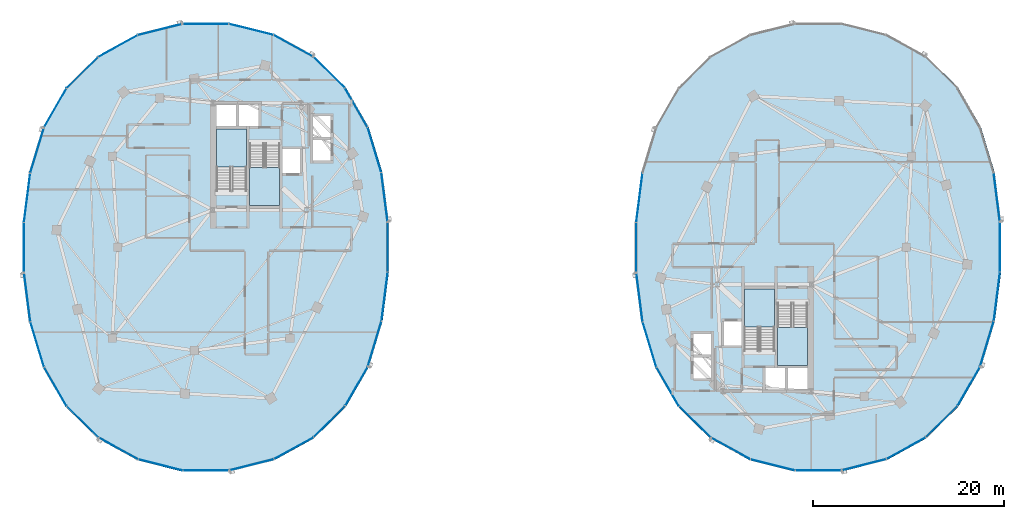
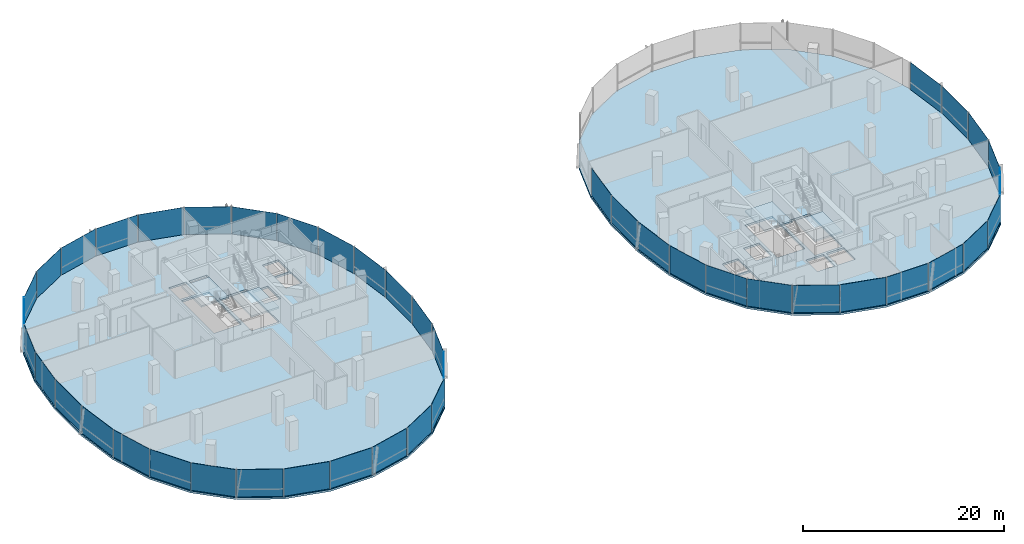
# One storey, part 10 of 22: 45 plates, 6 slabs, 12 elements without a shape of their own.
"""IFC4 building model written with IfcOpenShell, lengths in metres."""

from ifc_helpers import new_model, si_unit, direction, frame, origin, origin_2d, place, context, subcontext, project, spatial, polyline, rectangle, outline, extrude, material, layer, layer_set, type_object, element, aggregate, save


model = new_model("IFC4")

# Units and contexts
model_context = context("Model", 3, precision=1e-05, world=origin(), true_north=direction((0.0, 1.0)))
body_context = subcontext(model_context, "Body", "Model", "MODEL_VIEW")
ifc_project = project(units=[si_unit("LENGTHUNIT", "METRE"), si_unit("AREAUNIT", "SQUARE_METRE"), si_unit("VOLUMEUNIT", "CUBIC_METRE"), si_unit("PLANEANGLEUNIT", "RADIAN"), si_unit("MASSUNIT", "GRAM", prefix="KILO"), si_unit("THERMODYNAMICTEMPERATUREUNIT", "KELVIN"), si_unit("POWERUNIT", "WATT")], contexts=[model_context])

# Site, building, storey
site_placement = place(None, origin())
site = spatial("IfcSite", under=ifc_project, at=site_placement, CompositionType="ELEMENT")
building_placement = place(site_placement, origin())
building = spatial("IfcBuilding", under=site, at=building_placement, Name="Cundina Bronze Exchange", CompositionType="ELEMENT")
storey_placement = place(building_placement, frame((0.0, 0.0, 162.0)))
storey = spatial("IfcBuildingStorey", under=building, at=storey_placement, Name="L42", CompositionType="ELEMENT", Elevation=162.0)

# Curtain wall, plates
ifc_material_1 = material(Name="Anodised Bronze Aluminium 6063-T6", Category="aluminium")
curtain_wall_type = type_object("IfcCurtainWallType", Name="CWS-WST-PIN", PredefinedType="NOTDEFINED", material=ifc_material_1)
curtain_wall_1_placement = place(storey_placement, origin())
curtain_wall_1 = element("IfcCurtainWall", 1, at=curtain_wall_1_placement, inside=storey, type_object=curtain_wall_type, Name="L42 CW-04 Curtain Wall Run CWR-L42-W1", PredefinedType="NOTDEFINED")
ifc_material_2 = material(Name="Heat-Strengthened Solar-Control Bronze Safety Glass 28mm", Category="glass")
ifc_layer_1 = layer(ifc_material_2, 0.028076171875, Name="Heat-Strengthened Solar-Control Bronze Safety Glass 28mm", Category="glass")
ifc_layer_set_1 = layer_set([ifc_layer_1], Name="Heat-Strengthened Solar-Control Bronze Safety Glass 28mm")
plate_type_1 = type_object("IfcPlateType", Name="PLT-GLZ-VIS28", PredefinedType="CURTAIN_PANEL", material=ifc_layer_set_1)
plate_1_placement = place(storey_placement, frame((-13.320556640625, 5.2041015625, 0.02001953125), z_axis=(0.0, 0.0, 1.0), x_axis=(-0.126475984253, 0.9919696696, 0.0)))
plate_1 = element("IfcPlate", 2, at=plate_1_placement, type_object=plate_type_1, Name="CW-04 Glazed Panel 1", PredefinedType="CURTAIN_PANEL", context=body_context, shape_type="SweptSolid", body=[
    extrude(rectangle(XDim=5.104736328125, YDim=0.028076171875, at=origin_2d()), origin(), (0.0, 0.0, 1.0), 3.320068359375),
])
plate_2_placement = place(storey_placement, frame((-14.36669921875, 10.14208984375, 0.02001953125), z_axis=(0.0, 0.0, 1.0), x_axis=(-0.290050843957, 0.957011237092, 0.0)))
plate_2 = element("IfcPlate", 3, at=plate_2_placement, type_object=plate_type_1, Name="CW-04 Glazed Panel 2", PredefinedType="CURTAIN_PANEL", context=body_context, shape_type="SweptSolid", body=[
    extrude(rectangle(XDim=4.885009765625, YDim=0.028076171875, at=origin_2d()), origin(), (0.0, 0.0, 1.0), 3.320068359375),
])
plate_3_placement = place(storey_placement, frame((-19.105224609375, 18.253662109375, 0.02001953125), z_axis=(0.0, 0.0, 1.0), x_axis=(-0.711989280367, 0.702190333629, 0.0)))
plate_3 = element("IfcPlate", 4, at=plate_3_placement, type_object=plate_type_1, Name="CW-04 Glazed Panel 4", PredefinedType="CURTAIN_PANEL", context=body_context, shape_type="SweptSolid", body=[
    extrude(rectangle(XDim=4.6025390625, YDim=0.028076171875, at=origin_2d()), origin(), (0.0, 0.0, 1.0), 3.320068359375),
])
plate_4_placement = place(storey_placement, frame((-22.83154296875, 21.02880859375, 0.02001953125), z_axis=(0.0, 0.0, 1.0), x_axis=(-0.875869093438, 0.482548786301, 0.0)))
plate_4 = element("IfcPlate", 5, at=plate_4_placement, type_object=plate_type_1, Name="CW-04 Glazed Panel 5", PredefinedType="CURTAIN_PANEL", context=body_context, shape_type="SweptSolid", body=[
    extrude(rectangle(XDim=4.661865234375, YDim=0.028076171875, at=origin_2d()), origin(), (0.0, 0.0, 1.0), 3.320068359375),
])
plate_5_placement = place(storey_placement, frame((-27.23486328125, 22.75244140625, 0.02001953125), z_axis=(0.0, 0.0, 1.0), x_axis=(-0.970092713791, 0.242734683656, 0.0)))
plate_5 = element("IfcPlate", 6, at=plate_5_placement, type_object=plate_type_1, Name="CW-04 Glazed Panel 6", PredefinedType="CURTAIN_PANEL", context=body_context, shape_type="SweptSolid", body=[
    extrude(rectangle(XDim=4.7548828125, YDim=0.028076171875, at=origin_2d()), origin(), (0.0, 0.0, 1.0), 3.320068359375),
])
plate_6_placement = place(storey_placement, frame((-32.0, 23.3369140625, 0.02001953125), z_axis=(0.0, 0.0, 1.0), x_axis=(-1.0, 0.0, 0.0)))
plate_6 = element("IfcPlate", 7, at=plate_6_placement, type_object=plate_type_1, Name="CW-04 Glazed Panel 7", PredefinedType="CURTAIN_PANEL", context=body_context, shape_type="SweptSolid", body=[
    extrude(rectangle(XDim=4.7958984375, YDim=0.028076171875, at=origin_2d()), origin(), (0.0, 0.0, 1.0), 3.320068359375),
])

curtain_wall_2_placement = place(storey_placement, origin())
curtain_wall_2 = element("IfcCurtainWall", 8, at=curtain_wall_2_placement, inside=storey, type_object=curtain_wall_type, Name="L42 CW-04 Curtain Wall Run CWR-L42-W2", PredefinedType="NOTDEFINED")
plate_7_placement = place(storey_placement, frame((-36.76513671875, 22.75244140625, 0.02001953125), z_axis=(0.0, 0.0, 1.0), x_axis=(-0.970092713791, -0.242734683656, 0.0)))
plate_7 = element("IfcPlate", 9, at=plate_7_placement, type_object=plate_type_1, Name="CW-04 Glazed Panel 1", PredefinedType="CURTAIN_PANEL", context=body_context, shape_type="SweptSolid", body=[
    extrude(rectangle(XDim=4.7548828125, YDim=0.028076171875, at=origin_2d()), origin(), (0.0, 0.0, 1.0), 3.320068359375),
])
plate_8_placement = place(storey_placement, frame((-44.894775390625, 18.253662109375, 0.02001953125), z_axis=(0.0, 0.0, 1.0), x_axis=(-0.711989280367, -0.702190333629, 0.0)))
plate_8 = element("IfcPlate", 10, at=plate_8_placement, type_object=plate_type_1, Name="CW-04 Glazed Panel 3", PredefinedType="CURTAIN_PANEL", context=body_context, shape_type="SweptSolid", body=[
    extrude(rectangle(XDim=4.6025390625, YDim=0.028076171875, at=origin_2d()), origin(), (0.0, 0.0, 1.0), 3.320068359375),
])
plate_9_placement = place(storey_placement, frame((-47.734375, 14.564697265625, 0.02001953125), z_axis=(0.0, 0.0, 1.0), x_axis=(-0.498487739754, -0.866896748936, 0.0)))
plate_9 = element("IfcPlate", 11, at=plate_9_placement, type_object=plate_type_1, Name="CW-04 Glazed Panel 4", PredefinedType="CURTAIN_PANEL", context=body_context, shape_type="SweptSolid", body=[
    extrude(rectangle(XDim=4.676513671875, YDim=0.028076171875, at=origin_2d()), origin(), (0.0, 0.0, 1.0), 3.320068359375),
])
plate_10_placement = place(storey_placement, frame((-49.63330078125, 10.14208984375, 0.02001953125), z_axis=(0.0, 0.0, 1.0), x_axis=(-0.290050843957, -0.957011237092, 0.0)))
plate_10 = element("IfcPlate", 12, at=plate_10_placement, type_object=plate_type_1, Name="CW-04 Glazed Panel 5", PredefinedType="CURTAIN_PANEL", context=body_context, shape_type="SweptSolid", body=[
    extrude(rectangle(XDim=4.885009765625, YDim=0.028076171875, at=origin_2d()), origin(), (0.0, 0.0, 1.0), 3.320068359375),
])
plate_11_placement = place(storey_placement, frame((-50.679443359375, 5.2041015625, 0.02001953125), z_axis=(0.0, 0.0, 1.0), x_axis=(-0.126475984253, -0.9919696696, 0.0)))
plate_11 = element("IfcPlate", 13, at=plate_11_placement, type_object=plate_type_1, Name="CW-04 Glazed Panel 6", PredefinedType="CURTAIN_PANEL", context=body_context, shape_type="SweptSolid", body=[
    extrude(rectangle(XDim=5.104736328125, YDim=0.028076171875, at=origin_2d()), origin(), (0.0, 0.0, 1.0), 3.320068359375),
])

curtain_wall_3_placement = place(storey_placement, origin())
curtain_wall_3 = element("IfcCurtainWall", 14, at=curtain_wall_3_placement, inside=storey, type_object=curtain_wall_type, Name="L42 CW-04 Curtain Wall Run CWR-L42-W3", PredefinedType="NOTDEFINED")
plate_12_placement = place(storey_placement, frame((-49.63330078125, -10.14208984375, 0.02001953125), z_axis=(0.0, 0.0, 1.0), x_axis=(0.290050843957, -0.957011237092, 0.0)))
plate_12 = element("IfcPlate", 15, at=plate_12_placement, type_object=plate_type_1, Name="CW-04 Glazed Panel 2", PredefinedType="CURTAIN_PANEL", context=body_context, shape_type="SweptSolid", body=[
    extrude(rectangle(XDim=4.885009765625, YDim=0.028076171875, at=origin_2d()), origin(), (0.0, 0.0, 1.0), 3.320068359375),
])
plate_13_placement = place(storey_placement, frame((-47.734375, -14.564697265625, 0.02001953125), z_axis=(0.0, 0.0, 1.0), x_axis=(0.498487739754, -0.866896748936, 0.0)))
plate_13 = element("IfcPlate", 16, at=plate_13_placement, type_object=plate_type_1, Name="CW-04 Glazed Panel 3", PredefinedType="CURTAIN_PANEL", context=body_context, shape_type="SweptSolid", body=[
    extrude(rectangle(XDim=4.676513671875, YDim=0.028076171875, at=origin_2d()), origin(), (0.0, 0.0, 1.0), 3.320068359375),
])
plate_14_placement = place(storey_placement, frame((-44.894775390625, -18.253662109375, 0.02001953125), z_axis=(0.0, 0.0, 1.0), x_axis=(0.711989280367, -0.702190333629, 0.0)))
plate_14 = element("IfcPlate", 17, at=plate_14_placement, type_object=plate_type_1, Name="CW-04 Glazed Panel 4", PredefinedType="CURTAIN_PANEL", context=body_context, shape_type="SweptSolid", body=[
    extrude(rectangle(XDim=4.6025390625, YDim=0.028076171875, at=origin_2d()), origin(), (0.0, 0.0, 1.0), 3.320068359375),
])
plate_15_placement = place(storey_placement, frame((-41.16845703125, -21.02880859375, 0.02001953125), z_axis=(0.0, 0.0, 1.0), x_axis=(0.875869093438, -0.482548786301, 0.0)))
plate_15 = element("IfcPlate", 18, at=plate_15_placement, type_object=plate_type_1, Name="CW-04 Glazed Panel 5", PredefinedType="CURTAIN_PANEL", context=body_context, shape_type="SweptSolid", body=[
    extrude(rectangle(XDim=4.661865234375, YDim=0.028076171875, at=origin_2d()), origin(), (0.0, 0.0, 1.0), 3.320068359375),
])
plate_16_placement = place(storey_placement, frame((-32.0, -23.3369140625, 0.02001953125), z_axis=(0.0, 0.0, 1.0), x_axis=(1.0, 0.0, 0.0)))
plate_16 = element("IfcPlate", 19, at=plate_16_placement, type_object=plate_type_1, Name="CW-04 Glazed Panel 7", PredefinedType="CURTAIN_PANEL", context=body_context, shape_type="SweptSolid", body=[
    extrude(rectangle(XDim=4.7958984375, YDim=0.028076171875, at=origin_2d()), origin(), (0.0, 0.0, 1.0), 3.320068359375),
])

curtain_wall_4_placement = place(storey_placement, origin())
curtain_wall_4 = element("IfcCurtainWall", 20, at=curtain_wall_4_placement, inside=storey, type_object=curtain_wall_type, Name="L42 CW-04 Curtain Wall Run CWR-L42-W4", PredefinedType="NOTDEFINED")
plate_17_placement = place(storey_placement, frame((-27.23486328125, -22.75244140625, 0.02001953125), z_axis=(0.0, 0.0, 1.0), x_axis=(0.970092713791, 0.242734683656, 0.0)))
plate_17 = element("IfcPlate", 21, at=plate_17_placement, type_object=plate_type_1, Name="CW-04 Glazed Panel 1", PredefinedType="CURTAIN_PANEL", context=body_context, shape_type="SweptSolid", body=[
    extrude(rectangle(XDim=4.7548828125, YDim=0.028076171875, at=origin_2d()), origin(), (0.0, 0.0, 1.0), 3.320068359375),
])
plate_18_placement = place(storey_placement, frame((-22.83154296875, -21.02880859375, 0.02001953125), z_axis=(0.0, 0.0, 1.0), x_axis=(0.875869093438, 0.482548786301, 0.0)))
plate_18 = element("IfcPlate", 22, at=plate_18_placement, type_object=plate_type_1, Name="CW-04 Glazed Panel 2", PredefinedType="CURTAIN_PANEL", context=body_context, shape_type="SweptSolid", body=[
    extrude(rectangle(XDim=4.661865234375, YDim=0.028076171875, at=origin_2d()), origin(), (0.0, 0.0, 1.0), 3.320068359375),
])
plate_19_placement = place(storey_placement, frame((-19.105224609375, -18.253662109375, 0.02001953125), z_axis=(0.0, 0.0, 1.0), x_axis=(0.711989280367, 0.702190333629, 0.0)))
plate_19 = element("IfcPlate", 23, at=plate_19_placement, type_object=plate_type_1, Name="CW-04 Glazed Panel 3", PredefinedType="CURTAIN_PANEL", context=body_context, shape_type="SweptSolid", body=[
    extrude(rectangle(XDim=4.6025390625, YDim=0.028076171875, at=origin_2d()), origin(), (0.0, 0.0, 1.0), 3.320068359375),
])
plate_20_placement = place(storey_placement, frame((-16.265625, -14.564697265625, 0.02001953125), z_axis=(0.0, 0.0, 1.0), x_axis=(0.498487739754, 0.866896748936, 0.0)))
plate_20 = element("IfcPlate", 24, at=plate_20_placement, type_object=plate_type_1, Name="CW-04 Glazed Panel 4", PredefinedType="CURTAIN_PANEL", context=body_context, shape_type="SweptSolid", body=[
    extrude(rectangle(XDim=4.676513671875, YDim=0.028076171875, at=origin_2d()), origin(), (0.0, 0.0, 1.0), 3.320068359375),
])
plate_21_placement = place(storey_placement, frame((-13.320556640625, -5.2041015625, 0.02001953125), z_axis=(0.0, 0.0, 1.0), x_axis=(0.126475984253, 0.9919696696, 0.0)))
plate_21 = element("IfcPlate", 25, at=plate_21_placement, type_object=plate_type_1, Name="CW-04 Glazed Panel 6", PredefinedType="CURTAIN_PANEL", context=body_context, shape_type="SweptSolid", body=[
    extrude(rectangle(XDim=5.104736328125, YDim=0.028076171875, at=origin_2d()), origin(), (0.0, 0.0, 1.0), 3.320068359375),
])
plate_22_placement = place(storey_placement, frame((-12.992919921875, 0.0, 0.02001953125), z_axis=(0.0, 0.0, 1.0), x_axis=(0.0, 1.0, 0.0)))
plate_22 = element("IfcPlate", 26, at=plate_22_placement, type_object=plate_type_1, Name="CW-04 Glazed Panel 7", PredefinedType="CURTAIN_PANEL", context=body_context, shape_type="SweptSolid", body=[
    extrude(rectangle(XDim=5.194091796875, YDim=0.028076171875, at=origin_2d()), origin(), (0.0, 0.0, 1.0), 3.320068359375),
])

# Curtain wall, plate
curtain_wall_5_placement = place(storey_placement, origin())
curtain_wall_5 = element("IfcCurtainWall", 27, at=curtain_wall_5_placement, inside=storey, type_object=curtain_wall_type, Name="L42 CW-04 Curtain Wall Run CWR-L42-E1", PredefinedType="NOTDEFINED")
plate_23_placement = place(storey_placement, frame((50.679443359375, 5.2041015625, 0.02001953125), z_axis=(0.0, 0.0, 1.0), x_axis=(-0.126475984253, 0.9919696696, 0.0)))
plate_23 = element("IfcPlate", 28, at=plate_23_placement, type_object=plate_type_1, Name="CW-04 Glazed Panel 1", PredefinedType="CURTAIN_PANEL", context=body_context, shape_type="SweptSolid", body=[
    extrude(rectangle(XDim=5.104736328125, YDim=0.028076171875, at=origin_2d()), origin(), (0.0, 0.0, 1.0), 3.320068359375),
])
aggregate(curtain_wall_5, [plate_23])

curtain_wall_6_placement = place(storey_placement, origin())
curtain_wall_6 = element("IfcCurtainWall", 29, at=curtain_wall_6_placement, inside=storey, type_object=curtain_wall_type, Name="L42 CW-04 Curtain Wall Run CWR-L42-E2", PredefinedType="NOTDEFINED")
plate_24_placement = place(storey_placement, frame((13.320556640625, 5.2041015625, 0.02001953125), z_axis=(0.0, 0.0, 1.0), x_axis=(-0.126475984253, -0.9919696696, 0.0)))
plate_24 = element("IfcPlate", 30, at=plate_24_placement, type_object=plate_type_1, Name="CW-04 Glazed Panel 6", PredefinedType="CURTAIN_PANEL", context=body_context, shape_type="SweptSolid", body=[
    extrude(rectangle(XDim=5.104736328125, YDim=0.028076171875, at=origin_2d()), origin(), (0.0, 0.0, 1.0), 3.320068359375),
])

# Curtain wall, plates
curtain_wall_7_placement = place(storey_placement, origin())
curtain_wall_7 = element("IfcCurtainWall", 31, at=curtain_wall_7_placement, inside=storey, type_object=curtain_wall_type, Name="L42 CW-04 Curtain Wall Run CWR-L42-E3", PredefinedType="NOTDEFINED")
plate_25_placement = place(storey_placement, frame((14.36669921875, -10.14208984375, 0.02001953125), z_axis=(0.0, 0.0, 1.0), x_axis=(0.290050843957, -0.957011237092, 0.0)))
plate_25 = element("IfcPlate", 32, at=plate_25_placement, type_object=plate_type_1, Name="CW-04 Glazed Panel 2", PredefinedType="CURTAIN_PANEL", context=body_context, shape_type="SweptSolid", body=[
    extrude(rectangle(XDim=4.885009765625, YDim=0.028076171875, at=origin_2d()), origin(), (0.0, 0.0, 1.0), 3.320068359375),
])
plate_26_placement = place(storey_placement, frame((16.265625, -14.564697265625, 0.02001953125), z_axis=(0.0, 0.0, 1.0), x_axis=(0.498487739754, -0.866896748936, 0.0)))
plate_26 = element("IfcPlate", 33, at=plate_26_placement, type_object=plate_type_1, Name="CW-04 Glazed Panel 3", PredefinedType="CURTAIN_PANEL", context=body_context, shape_type="SweptSolid", body=[
    extrude(rectangle(XDim=4.676513671875, YDim=0.028076171875, at=origin_2d()), origin(), (0.0, 0.0, 1.0), 3.320068359375),
])
plate_27_placement = place(storey_placement, frame((19.105224609375, -18.253662109375, 0.02001953125), z_axis=(0.0, 0.0, 1.0), x_axis=(0.711989280367, -0.702190333629, 0.0)))
plate_27 = element("IfcPlate", 34, at=plate_27_placement, type_object=plate_type_1, Name="CW-04 Glazed Panel 4", PredefinedType="CURTAIN_PANEL", context=body_context, shape_type="SweptSolid", body=[
    extrude(rectangle(XDim=4.6025390625, YDim=0.028076171875, at=origin_2d()), origin(), (0.0, 0.0, 1.0), 3.320068359375),
])
plate_28_placement = place(storey_placement, frame((22.83154296875, -21.02880859375, 0.02001953125), z_axis=(0.0, 0.0, 1.0), x_axis=(0.875869093438, -0.482548786301, 0.0)))
plate_28 = element("IfcPlate", 35, at=plate_28_placement, type_object=plate_type_1, Name="CW-04 Glazed Panel 5", PredefinedType="CURTAIN_PANEL", context=body_context, shape_type="SweptSolid", body=[
    extrude(rectangle(XDim=4.661865234375, YDim=0.028076171875, at=origin_2d()), origin(), (0.0, 0.0, 1.0), 3.320068359375),
])
plate_29_placement = place(storey_placement, frame((32.0, -23.3369140625, 0.02001953125), z_axis=(0.0, 0.0, 1.0), x_axis=(1.0, 0.0, 0.0)))
plate_29 = element("IfcPlate", 36, at=plate_29_placement, type_object=plate_type_1, Name="CW-04 Glazed Panel 7", PredefinedType="CURTAIN_PANEL", context=body_context, shape_type="SweptSolid", body=[
    extrude(rectangle(XDim=4.7958984375, YDim=0.028076171875, at=origin_2d()), origin(), (0.0, 0.0, 1.0), 3.320068359375),
])

curtain_wall_8_placement = place(storey_placement, origin())
curtain_wall_8 = element("IfcCurtainWall", 37, at=curtain_wall_8_placement, inside=storey, type_object=curtain_wall_type, Name="L42 CW-04 Curtain Wall Run CWR-L42-E4", PredefinedType="NOTDEFINED")
plate_30_placement = place(storey_placement, frame((36.76513671875, -22.75244140625, 0.02001953125), z_axis=(0.0, 0.0, 1.0), x_axis=(0.970092713791, 0.242734683656, 0.0)))
plate_30 = element("IfcPlate", 38, at=plate_30_placement, type_object=plate_type_1, Name="CW-04 Glazed Panel 1", PredefinedType="CURTAIN_PANEL", context=body_context, shape_type="SweptSolid", body=[
    extrude(rectangle(XDim=4.7548828125, YDim=0.028076171875, at=origin_2d()), origin(), (0.0, 0.0, 1.0), 3.320068359375),
])
plate_31_placement = place(storey_placement, frame((41.16845703125, -21.02880859375, 0.02001953125), z_axis=(0.0, 0.0, 1.0), x_axis=(0.875869093438, 0.482548786301, 0.0)))
plate_31 = element("IfcPlate", 39, at=plate_31_placement, type_object=plate_type_1, Name="CW-04 Glazed Panel 2", PredefinedType="CURTAIN_PANEL", context=body_context, shape_type="SweptSolid", body=[
    extrude(rectangle(XDim=4.661865234375, YDim=0.028076171875, at=origin_2d()), origin(), (0.0, 0.0, 1.0), 3.320068359375),
])
plate_32_placement = place(storey_placement, frame((44.894775390625, -18.253662109375, 0.02001953125), z_axis=(0.0, 0.0, 1.0), x_axis=(0.711989280367, 0.702190333629, 0.0)))
plate_32 = element("IfcPlate", 40, at=plate_32_placement, type_object=plate_type_1, Name="CW-04 Glazed Panel 3", PredefinedType="CURTAIN_PANEL", context=body_context, shape_type="SweptSolid", body=[
    extrude(rectangle(XDim=4.6025390625, YDim=0.028076171875, at=origin_2d()), origin(), (0.0, 0.0, 1.0), 3.320068359375),
])
plate_33_placement = place(storey_placement, frame((47.734375, -14.564697265625, 0.02001953125), z_axis=(0.0, 0.0, 1.0), x_axis=(0.498487739754, 0.866896748936, 0.0)))
plate_33 = element("IfcPlate", 41, at=plate_33_placement, type_object=plate_type_1, Name="CW-04 Glazed Panel 4", PredefinedType="CURTAIN_PANEL", context=body_context, shape_type="SweptSolid", body=[
    extrude(rectangle(XDim=4.676513671875, YDim=0.028076171875, at=origin_2d()), origin(), (0.0, 0.0, 1.0), 3.320068359375),
])
plate_34_placement = place(storey_placement, frame((50.679443359375, -5.2041015625, 0.02001953125), z_axis=(0.0, 0.0, 1.0), x_axis=(0.126475984253, 0.9919696696, 0.0)))
plate_34 = element("IfcPlate", 42, at=plate_34_placement, type_object=plate_type_1, Name="CW-04 Glazed Panel 6", PredefinedType="CURTAIN_PANEL", context=body_context, shape_type="SweptSolid", body=[
    extrude(rectangle(XDim=5.104736328125, YDim=0.028076171875, at=origin_2d()), origin(), (0.0, 0.0, 1.0), 3.320068359375),
])
plate_35_placement = place(storey_placement, frame((51.007080078125, 0.0, 0.02001953125), z_axis=(0.0, 0.0, 1.0), x_axis=(0.0, 1.0, 0.0)))
plate_35 = element("IfcPlate", 43, at=plate_35_placement, type_object=plate_type_1, Name="CW-04 Glazed Panel 7", PredefinedType="CURTAIN_PANEL", context=body_context, shape_type="SweptSolid", body=[
    extrude(rectangle(XDim=5.194091796875, YDim=0.028076171875, at=origin_2d()), origin(), (0.0, 0.0, 1.0), 3.320068359375),
])

# Plate
ifc_material_3 = material(Name="Dark Bronze Spandrel Glass Panel 32mm", Category="glass")
ifc_layer_2 = layer(ifc_material_3, 0.031982421875, Name="Dark Bronze Spandrel Glass Panel 32mm", Category="glass")
ifc_layer_set_2 = layer_set([ifc_layer_2], Name="Dark Bronze Spandrel Glass Panel 32mm")
plate_type_2 = type_object("IfcPlateType", Name="PLT-SPN-BRZ32", PredefinedType="CURTAIN_PANEL", material=ifc_layer_set_2)
plate_36_placement = place(storey_placement, frame((-16.265625, 14.564697265625, 0.02001953125), z_axis=(0.0, 0.0, 1.0), x_axis=(-0.498487739754, 0.866896748936, 0.0)))
plate_36 = element("IfcPlate", 44, at=plate_36_placement, type_object=plate_type_2, Name="CW-04 Glazed Panel 3", PredefinedType="CURTAIN_PANEL", context=body_context, shape_type="SweptSolid", body=[
    extrude(rectangle(XDim=4.676513671875, YDim=0.031982421875, at=origin_2d()), origin(), (0.0, 0.0, 1.0), 3.320068359375),
])

aggregate(curtain_wall_1, [plate_1, plate_2, plate_36, plate_3, plate_4, plate_5, plate_6])

plate_37_placement = place(storey_placement, frame((-41.16845703125, 21.02880859375, 0.02001953125), z_axis=(0.0, 0.0, 1.0), x_axis=(-0.875869093438, -0.482548786301, 0.0)))
plate_37 = element("IfcPlate", 45, at=plate_37_placement, type_object=plate_type_2, Name="CW-04 Glazed Panel 2", PredefinedType="CURTAIN_PANEL", context=body_context, shape_type="SweptSolid", body=[
    extrude(rectangle(XDim=4.661865234375, YDim=0.031982421875, at=origin_2d()), origin(), (0.0, 0.0, 1.0), 3.320068359375),
])

plate_38_placement = place(storey_placement, frame((-51.007080078125, 0.0, 0.02001953125), z_axis=(0.0, 0.0, 1.0), x_axis=(0.0, -1.0, 0.0)))
plate_38 = element("IfcPlate", 46, at=plate_38_placement, type_object=plate_type_2, Name="CW-04 Glazed Panel 7", PredefinedType="CURTAIN_PANEL", context=body_context, shape_type="SweptSolid", body=[
    extrude(rectangle(XDim=5.194091796875, YDim=0.031982421875, at=origin_2d()), origin(), (0.0, 0.0, 1.0), 3.320068359375),
])

aggregate(curtain_wall_2, [plate_7, plate_37, plate_8, plate_9, plate_10, plate_11, plate_38])

plate_39_placement = place(storey_placement, frame((-50.679443359375, -5.2041015625, 0.02001953125), z_axis=(0.0, 0.0, 1.0), x_axis=(0.126475984253, -0.9919696696, 0.0)))
plate_39 = element("IfcPlate", 47, at=plate_39_placement, type_object=plate_type_2, Name="CW-04 Glazed Panel 1", PredefinedType="CURTAIN_PANEL", context=body_context, shape_type="SweptSolid", body=[
    extrude(rectangle(XDim=5.104736328125, YDim=0.031982421875, at=origin_2d()), origin(), (0.0, 0.0, 1.0), 3.320068359375),
])

plate_40_placement = place(storey_placement, frame((-36.76513671875, -22.75244140625, 0.02001953125), z_axis=(0.0, 0.0, 1.0), x_axis=(0.970092713791, -0.242734683656, 0.0)))
plate_40 = element("IfcPlate", 48, at=plate_40_placement, type_object=plate_type_2, Name="CW-04 Glazed Panel 6", PredefinedType="CURTAIN_PANEL", context=body_context, shape_type="SweptSolid", body=[
    extrude(rectangle(XDim=4.7548828125, YDim=0.031982421875, at=origin_2d()), origin(), (0.0, 0.0, 1.0), 3.320068359375),
])

aggregate(curtain_wall_3, [plate_39, plate_12, plate_13, plate_14, plate_15, plate_40, plate_16])

plate_41_placement = place(storey_placement, frame((-14.36669921875, -10.14208984375, 0.02001953125), z_axis=(0.0, 0.0, 1.0), x_axis=(0.290050843957, 0.957011237092, 0.0)))
plate_41 = element("IfcPlate", 49, at=plate_41_placement, type_object=plate_type_2, Name="CW-04 Glazed Panel 5", PredefinedType="CURTAIN_PANEL", context=body_context, shape_type="SweptSolid", body=[
    extrude(rectangle(XDim=4.885009765625, YDim=0.031982421875, at=origin_2d()), origin(), (0.0, 0.0, 1.0), 3.320068359375),
])

aggregate(curtain_wall_4, [plate_17, plate_18, plate_19, plate_20, plate_41, plate_21, plate_22])

plate_42_placement = place(storey_placement, frame((12.992919921875, 0.0, 0.02001953125), z_axis=(0.0, 0.0, 1.0), x_axis=(0.0, -1.0, 0.0)))
plate_42 = element("IfcPlate", 50, at=plate_42_placement, type_object=plate_type_2, Name="CW-04 Glazed Panel 7", PredefinedType="CURTAIN_PANEL", context=body_context, shape_type="SweptSolid", body=[
    extrude(rectangle(XDim=5.194091796875, YDim=0.031982421875, at=origin_2d()), origin(), (0.0, 0.0, 1.0), 3.320068359375),
])

aggregate(curtain_wall_6, [plate_24, plate_42])

plate_43_placement = place(storey_placement, frame((13.320556640625, -5.2041015625, 0.02001953125), z_axis=(0.0, 0.0, 1.0), x_axis=(0.126475984253, -0.9919696696, 0.0)))
plate_43 = element("IfcPlate", 51, at=plate_43_placement, type_object=plate_type_2, Name="CW-04 Glazed Panel 1", PredefinedType="CURTAIN_PANEL", context=body_context, shape_type="SweptSolid", body=[
    extrude(rectangle(XDim=5.104736328125, YDim=0.031982421875, at=origin_2d()), origin(), (0.0, 0.0, 1.0), 3.320068359375),
])

plate_44_placement = place(storey_placement, frame((27.23486328125, -22.75244140625, 0.02001953125), z_axis=(0.0, 0.0, 1.0), x_axis=(0.970092713791, -0.242734683656, 0.0)))
plate_44 = element("IfcPlate", 52, at=plate_44_placement, type_object=plate_type_2, Name="CW-04 Glazed Panel 6", PredefinedType="CURTAIN_PANEL", context=body_context, shape_type="SweptSolid", body=[
    extrude(rectangle(XDim=4.7548828125, YDim=0.031982421875, at=origin_2d()), origin(), (0.0, 0.0, 1.0), 3.320068359375),
])

aggregate(curtain_wall_7, [plate_43, plate_25, plate_26, plate_27, plate_28, plate_44, plate_29])

plate_45_placement = place(storey_placement, frame((49.63330078125, -10.14208984375, 0.02001953125), z_axis=(0.0, 0.0, 1.0), x_axis=(0.290050843957, 0.957011237092, 0.0)))
plate_45 = element("IfcPlate", 53, at=plate_45_placement, type_object=plate_type_2, Name="CW-04 Glazed Panel 5", PredefinedType="CURTAIN_PANEL", context=body_context, shape_type="SweptSolid", body=[
    extrude(rectangle(XDim=4.885009765625, YDim=0.031982421875, at=origin_2d()), origin(), (0.0, 0.0, 1.0), 3.320068359375),
])

aggregate(curtain_wall_8, [plate_30, plate_31, plate_32, plate_33, plate_45, plate_34, plate_35])

# Stair, slab
ifc_material_4 = material(Name="Concrete C40/50", Category="concrete")
stair_type = type_object("IfcStairType", Name="STR-OFF-360", PredefinedType="HALF_TURN_STAIR", material=ifc_material_4)
stair_1_placement = place(storey_placement, origin())
stair_1 = element("IfcStair", 54, at=stair_1_placement, inside=storey, type_object=stair_type, Name="L42 Smokeproof Exit Stair W1", PredefinedType="HALF_TURN_STAIR")
ifc_layer_3 = layer(ifc_material_4, 0.199951171875, Name="Concrete C40/50", Category="concrete")
ifc_layer_set_3 = layer_set([ifc_layer_3], Name="Concrete C40/50")
slab_type_1 = type_object("IfcSlabType", Name="SLB-LND-200", PredefinedType="LANDING", material=ifc_layer_set_3)
slab_1_placement = place(storey_placement, frame((0.0, 0.0, 1.60009765625)))
slab_1 = element("IfcSlab", 55, at=slab_1_placement, type_object=slab_type_1, Name="ST-W1 landing 1", PredefinedType="LANDING", context=body_context, shape_type="SweptSolid", body=[
    extrude(outline(polyline([(-27.739990234375, 8.3701171875), (-27.739990234375, 12.35009765625), (-30.89990234375, 12.35009765625), (-30.89990234375, 8.3701171875), (-27.739990234375, 8.3701171875)])), origin(), (0.0, 0.0, 1.0), 0.199951171875),
])
aggregate(stair_1, [slab_1])

stair_2_placement = place(storey_placement, origin())
stair_2 = element("IfcStair", 56, at=stair_2_placement, inside=storey, type_object=stair_type, Name="L42 Smokeproof Exit Stair W2", PredefinedType="HALF_TURN_STAIR")
slab_2_placement = place(storey_placement, frame((0.0, 0.0, 1.60009765625)))
slab_2 = element("IfcSlab", 57, at=slab_2_placement, type_object=slab_type_1, Name="ST-W2 landing 1", PredefinedType="LANDING", context=body_context, shape_type="SweptSolid", body=[
    extrude(outline(polyline([(-27.43994140625, 8.330078125), (-27.43994140625, 4.35009765625), (-24.280029296875, 4.35009765625), (-24.280029296875, 8.330078125), (-27.43994140625, 8.330078125)])), origin(), (0.0, 0.0, 1.0), 0.199951171875),
])
aggregate(stair_2, [slab_2])

stair_3_placement = place(storey_placement, origin())
stair_3 = element("IfcStair", 58, at=stair_3_placement, inside=storey, type_object=stair_type, Name="L42 Smokeproof Exit Stair E1", PredefinedType="HALF_TURN_STAIR")
slab_3_placement = place(storey_placement, frame((0.0, 0.0, 1.60009765625)))
slab_3 = element("IfcSlab", 59, at=slab_3_placement, type_object=slab_type_1, Name="ST-E1 landing 1", PredefinedType="LANDING", context=body_context, shape_type="SweptSolid", body=[
    extrude(outline(polyline([(27.739990234375, -8.3701171875), (27.739990234375, -12.35009765625), (30.89990234375, -12.35009765625), (30.89990234375, -8.3701171875), (27.739990234375, -8.3701171875)])), origin(), (0.0, 0.0, 1.0), 0.199951171875),
])
aggregate(stair_3, [slab_3])

stair_4_placement = place(storey_placement, origin())
stair_4 = element("IfcStair", 60, at=stair_4_placement, inside=storey, type_object=stair_type, Name="L42 Smokeproof Exit Stair E2", PredefinedType="HALF_TURN_STAIR")
slab_4_placement = place(storey_placement, frame((0.0, 0.0, 1.60009765625)))
slab_4 = element("IfcSlab", 61, at=slab_4_placement, type_object=slab_type_1, Name="ST-E2 landing 1", PredefinedType="LANDING", context=body_context, shape_type="SweptSolid", body=[
    extrude(outline(polyline([(27.43994140625, -8.330078125), (27.43994140625, -4.35009765625), (24.280029296875, -4.35009765625), (24.280029296875, -8.330078125), (27.43994140625, -8.330078125)])), origin(), (0.0, 0.0, 1.0), 0.199951171875),
])
aggregate(stair_4, [slab_4])

# Slabs
ifc_material_5 = material(Name="Concrete C50/60", Category="concrete")
ifc_layer_4 = layer(ifc_material_5, 0.239990234375, Name="Concrete C50/60", Category="concrete")
ifc_layer_set_4 = layer_set([ifc_layer_4], Name="Concrete C50/60")
slab_type_2 = type_object("IfcSlabType", Name="SLB-WST-240", PredefinedType="FLOOR", material=ifc_layer_set_4)
slab_5_placement = place(storey_placement, frame((0.0, 0.0, -0.239990234375)))
element("IfcSlab", 62, at=slab_5_placement, inside=storey, type_object=slab_type_2, Name="L42 Leg W Structural Floor Slab", PredefinedType="FLOOR", context=body_context, shape_type="SweptSolid", body=[
    extrude(outline(polyline([(-12.8779296875, 2.64208984375), (-13.534912109375, 7.794921875), (-14.97802734375, 12.555908203125), (-17.35400390625, 16.68798828125), (-20.695068359375, 19.98291015625), (-24.85693359375, 22.27587890625), (-29.556884765625, 23.451904296875), (-34.443115234375, 23.451904296875), (-39.14306640625, 22.27587890625), (-43.304931640625, 19.98291015625), (-46.64599609375, 16.68798828125), (-49.02197265625, 12.555908203125), (-50.465087890625, 7.794921875), (-51.1220703125, 2.64208984375), (-51.1220703125, -2.64208984375), (-50.465087890625, -7.794921875), (-49.02197265625, -12.555908203125), (-46.64599609375, -16.68798828125), (-43.304931640625, -19.98291015625), (-39.14306640625, -22.27587890625), (-34.443115234375, -23.451904296875), (-29.556884765625, -23.451904296875), (-24.85693359375, -22.27587890625), (-20.695068359375, -19.98291015625), (-17.35400390625, -16.68798828125), (-14.97802734375, -12.555908203125), (-13.534912109375, -7.794921875), (-12.8779296875, -2.64208984375), (-12.8779296875, 2.64208984375)]), holes=[polyline([(-27.739990234375, 5.85009765625), (-27.739990234375, 12.35009765625), (-30.89990234375, 12.35009765625), (-30.89990234375, 5.85009765625), (-27.739990234375, 5.85009765625)]), polyline([(-27.43994140625, 10.85009765625), (-27.43994140625, 4.35009765625), (-24.280029296875, 4.35009765625), (-24.280029296875, 10.85009765625), (-27.43994140625, 10.85009765625)]), polyline([(-23.97998046875, 10.25), (-22.179931640625, 10.25), (-22.179931640625, 7.75), (-23.97998046875, 7.75), (-23.97998046875, 10.25)]), polyline([(-30.89990234375, 14.949951171875), (-28.85009765625, 14.949951171875), (-28.85009765625, 12.64990234375), (-30.89990234375, 12.64990234375), (-30.89990234375, 14.949951171875)]), polyline([(-28.550048828125, 14.949951171875), (-26.5, 14.949951171875), (-26.5, 12.64990234375), (-28.550048828125, 12.64990234375), (-28.550048828125, 14.949951171875)]), polyline([(-20.800048828125, 13.699951171875), (-18.949951171875, 13.699951171875), (-18.949951171875, 11.449951171875), (-20.800048828125, 11.449951171875), (-20.800048828125, 13.699951171875)]), polyline([(-20.800048828125, 11.300048828125), (-18.949951171875, 11.300048828125), (-18.949951171875, 9.050048828125), (-20.800048828125, 9.050048828125), (-20.800048828125, 11.300048828125)])]), origin(), (0.0, 0.0, 1.0), 0.239990234375),
])
slab_6_placement = place(storey_placement, frame((0.0, 0.0, -0.239990234375)))
element("IfcSlab", 63, at=slab_6_placement, inside=storey, type_object=slab_type_2, Name="L42 Leg E Structural Floor Slab", PredefinedType="FLOOR", context=body_context, shape_type="SweptSolid", body=[
    extrude(outline(polyline([(51.1220703125, 2.64208984375), (50.465087890625, 7.794921875), (49.02197265625, 12.555908203125), (46.64599609375, 16.68798828125), (43.304931640625, 19.98291015625), (39.14306640625, 22.27587890625), (34.443115234375, 23.451904296875), (29.556884765625, 23.451904296875), (24.85693359375, 22.27587890625), (20.695068359375, 19.98291015625), (17.35400390625, 16.68798828125), (14.97802734375, 12.555908203125), (13.534912109375, 7.794921875), (12.8779296875, 2.64208984375), (12.8779296875, -2.64208984375), (13.534912109375, -7.794921875), (14.97802734375, -12.555908203125), (17.35400390625, -16.68798828125), (20.695068359375, -19.98291015625), (24.85693359375, -22.27587890625), (29.556884765625, -23.451904296875), (34.443115234375, -23.451904296875), (39.14306640625, -22.27587890625), (43.304931640625, -19.98291015625), (46.64599609375, -16.68798828125), (49.02197265625, -12.555908203125), (50.465087890625, -7.794921875), (51.1220703125, -2.64208984375), (51.1220703125, 2.64208984375)]), holes=[polyline([(27.739990234375, -5.85009765625), (27.739990234375, -12.35009765625), (30.89990234375, -12.35009765625), (30.89990234375, -5.85009765625), (27.739990234375, -5.85009765625)]), polyline([(27.43994140625, -10.85009765625), (27.43994140625, -4.35009765625), (24.280029296875, -4.35009765625), (24.280029296875, -10.85009765625), (27.43994140625, -10.85009765625)]), polyline([(22.179931640625, -7.75), (23.97998046875, -7.75), (23.97998046875, -10.25), (22.179931640625, -10.25), (22.179931640625, -7.75)]), polyline([(28.85009765625, -12.64990234375), (30.89990234375, -12.64990234375), (30.89990234375, -14.949951171875), (28.85009765625, -14.949951171875), (28.85009765625, -12.64990234375)]), polyline([(26.5, -12.64990234375), (28.550048828125, -12.64990234375), (28.550048828125, -14.949951171875), (26.5, -14.949951171875), (26.5, -12.64990234375)]), polyline([(18.949951171875, -11.449951171875), (20.800048828125, -11.449951171875), (20.800048828125, -13.699951171875), (18.949951171875, -13.699951171875), (18.949951171875, -11.449951171875)]), polyline([(18.949951171875, -9.050048828125), (20.800048828125, -9.050048828125), (20.800048828125, -11.300048828125), (18.949951171875, -11.300048828125), (18.949951171875, -9.050048828125)])]), origin(), (0.0, 0.0, 1.0), 0.239990234375),
])

save(model, "model.ifc")
